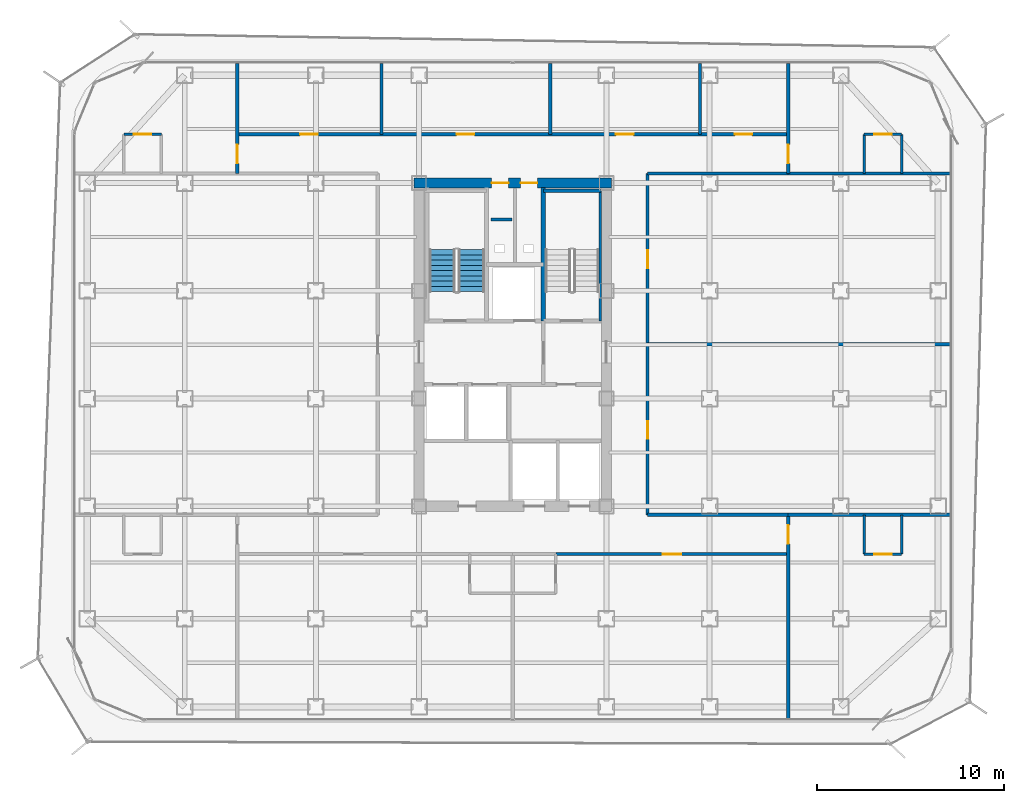
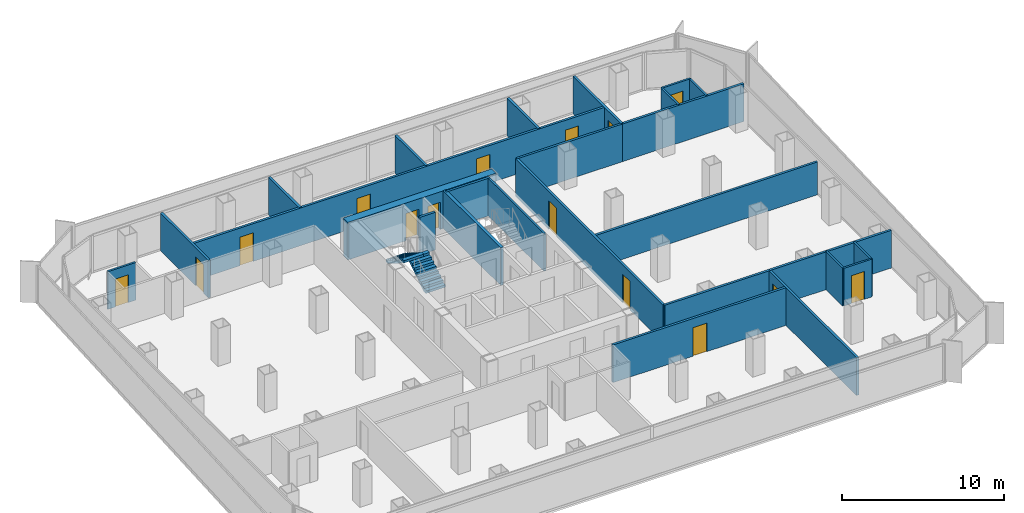
# One storey, part 17 of 21: 26 walls, 15 doors, 2 stair flights, 15 openings, 1 element without a shape of its own.
"""IFC4 building model written with IfcOpenShell, lengths in metres."""

from ifc_helpers import new_model, si_unit, direction, frame, frame_2d, origin, place, context, subcontext, project, spatial, polyline, rectangle, outline, extrude, material, layer, layer_set, type_object, element, fill, aggregate, save


model = new_model("IFC4")

# Units and contexts
model_context = context("Model", 3, precision=1e-05, world=origin(), true_north=direction((0.0, 1.0)))
body_context = subcontext(model_context, "Body", "Model", "MODEL_VIEW")
ifc_project = project(units=[si_unit("LENGTHUNIT", "METRE"), si_unit("AREAUNIT", "SQUARE_METRE"), si_unit("VOLUMEUNIT", "CUBIC_METRE"), si_unit("PLANEANGLEUNIT", "RADIAN"), si_unit("MASSUNIT", "GRAM", prefix="KILO")], contexts=[model_context])

# Site, building, storey
site_placement = place(None, origin())
site = spatial("IfcSite", under=ifc_project, at=site_placement, CompositionType="ELEMENT")
building_placement = place(site_placement, origin())
building = spatial("IfcBuilding", under=site, at=building_placement, Name="Kolveth Station Tower", CompositionType="ELEMENT")
storey_placement = place(building_placement, frame((0.0, 0.0, 140.699951171875)))
storey = spatial("IfcBuildingStorey", under=building, at=storey_placement, Name="L39", CompositionType="ELEMENT", Elevation=140.699951171875)

# Wall, openings, doors
ifc_material_1 = material(Name="Concrete C60/75", Category="concrete")
ifc_layer_1 = layer(ifc_material_1, 0.550048828125)
ifc_layer_set_1 = layer_set([ifc_layer_1], Name="Concrete C60/75")
wall_type_1 = type_object("IfcWallType", Name="Wall_CW-550", PredefinedType="SHEAR", material=ifc_layer_set_1)
wall_1_placement = place(storey_placement, frame((18.22509765625, 28.75, 0.0), z_axis=(0.0, 0.0, 1.0), x_axis=(1.0, 0.0, 0.0)))
wall_1 = element("IfcWall", 1, at=wall_1_placement, inside=storey, type_object=wall_type_1, Name="L39 Core RC Shear Wall N", PredefinedType="SHEAR", context=body_context, shape_type="SweptSolid", body=[
    extrude(rectangle(XDim=10.5498046875, YDim=0.550048828125, at=frame_2d((5.27490234375, 0.0))), origin(), (0.0, 0.0, 1.0), 2.840087890625),
])
opening_1_placement = place(wall_1_placement, frame((4.155029296875, 0.0, 0.0)))
opening_1 = element("IfcOpeningElement", 2, at=opening_1_placement, cuts=wall_1, Name="Opening RD1", PredefinedType="OPENING", context=body_context, shape_type="SweptSolid", body=[
    extrude(rectangle(XDim=0.89990234375, YDim=2.050048828125, at=frame_2d((0.449951171875, 1.02490234375))), frame((0.0, 0.284912109375, 0.0), z_axis=(0.0, -1.0, 0.0), x_axis=(1.0, 0.0, 0.0)), (0.0, 0.0, 1.0), 0.570068359375),
])
opening_2_placement = place(wall_1_placement, frame((5.695068359375, 0.0, 0.0)))
opening_2 = element("IfcOpeningElement", 3, at=opening_2_placement, cuts=wall_1, Name="Opening RD1", PredefinedType="OPENING", context=body_context, shape_type="SweptSolid", body=[
    extrude(rectangle(XDim=0.89990234375, YDim=2.050048828125, at=frame_2d((0.449951171875, 1.02490234375))), frame((0.0, 0.284912109375, 0.0), z_axis=(0.0, -1.0, 0.0), x_axis=(1.0, 0.0, 0.0)), (0.0, 0.0, 1.0), 0.570068359375),
])
ifc_material_2 = material(Name="Fire-rated Steel S355 riser access leaf", Category="steel")
door_type_1 = type_object("IfcDoorType", Name="Door_RD1", OperationType="NOTDEFINED", PredefinedType="DOOR", material=ifc_material_2)
door_1_placement = place(opening_1_placement, origin())
door_1 = element("IfcDoor", 4, at=door_1_placement, inside=storey, type_object=door_type_1, Name="L39 Electrical Riser Access Door", OperationType="SINGLE_SWING_LEFT", OverallHeight=2.050048828125, OverallWidth=0.89990234375, PredefinedType="DOOR", context=body_context, shape_type="SweptSolid", body=[
    extrude(rectangle(XDim=0.89990234375, YDim=2.050048828125, at=frame_2d((0.449951171875, 1.02490234375))), frame((0.0, 0.02490234375, 0.0), z_axis=(0.0, -1.0, 0.0), x_axis=(1.0, 0.0, 0.0)), (0.0, 0.0, 1.0), 0.050048828125),
])
fill(opening_1, door_1)
door_2_placement = place(opening_2_placement, origin())
door_2 = element("IfcDoor", 5, at=door_2_placement, inside=storey, type_object=door_type_1, Name="L39 Smoke Duct Access Door", OperationType="SINGLE_SWING_RIGHT", OverallHeight=2.050048828125, OverallWidth=0.89990234375, PredefinedType="DOOR", context=body_context, shape_type="SweptSolid", body=[
    extrude(rectangle(XDim=0.89990234375, YDim=2.050048828125, at=frame_2d((0.449951171875, 1.02490234375))), frame((0.0, 0.02490234375, 0.0), z_axis=(0.0, -1.0, 0.0), x_axis=(1.0, 0.0, 0.0)), (0.0, 0.0, 1.0), 0.050048828125),
])
fill(opening_2, door_2)

# Wall
ifc_material_3 = material(Name="Moisture-resistant gypsum partition")
ifc_layer_2 = layer(ifc_material_3, 0.135009765625)
ifc_layer_set_2 = layer_set([ifc_layer_2], Name="Moisture-resistant gypsum partition")
wall_type_2 = type_object("IfcWallType", Name="Wall_IW-135", PredefinedType="PARTITIONING", material=ifc_layer_set_2)
wall_2_placement = place(storey_placement, frame((28.16748046875, 21.389892578125, 0.0), z_axis=(0.0, 0.0, 1.0), x_axis=(0.0, 1.0, 0.0)))
element("IfcWall", 6, at=wall_2_placement, inside=storey, type_object=wall_type_2, Name="L39 Stair Shaft Wall WL-L39-ST2-E", PredefinedType="PARTITIONING", context=body_context, shape_type="SweptSolid", body=[
    extrude(rectangle(XDim=6.945068359375, YDim=0.135009765625, at=frame_2d((3.47265625, 0.0))), origin(), (0.0, 0.0, 1.0), 2.840087890625),
])

# Wall, opening, door
wall_3_placement = place(storey_placement, frame((2.75, 31.35009765625, 0.0), z_axis=(0.0, 0.0, 1.0), x_axis=(1.0, 0.0, 0.0)))
wall_3 = element("IfcWall", 7, at=wall_3_placement, inside=storey, type_object=wall_type_2, Name="L39 Partition Wall WL-L39-WS2-BH", PredefinedType="PARTITIONING", context=body_context, shape_type="SweptSolid", body=[
    extrude(rectangle(XDim=2.0, YDim=0.135009765625, at=frame_2d((1.0, 0.0))), origin(), (0.0, 0.0, 1.0), 2.840087890625),
])
opening_3_placement = place(wall_3_placement, frame((0.5400390625, 0.0, 0.0)))
opening_3 = element("IfcOpeningElement", 8, at=opening_3_placement, cuts=wall_3, Name="Opening ID2", PredefinedType="OPENING", context=body_context, shape_type="SweptSolid", body=[
    extrude(rectangle(XDim=0.919921875, YDim=2.10009765625, at=frame_2d((0.4599609375, 1.050048828125))), frame((0.0, 0.077392578125, 0.0), z_axis=(0.0, -1.0, 0.0), x_axis=(1.0, 0.0, 0.0)), (0.0, 0.0, 1.0), 0.155029296875),
])
ifc_material_4 = material(Name="Moisture-resistant hardwood leaf", Category="wood")
door_type_2 = type_object("IfcDoorType", Name="Door_ID2", OperationType="NOTDEFINED", PredefinedType="DOOR", material=ifc_material_4)
door_3_placement = place(opening_3_placement, frame((0.919921875, 0.0, 0.0), z_axis=(0.0, 0.0, 1.0), x_axis=(-1.0, 0.0, 0.0)))
door_3 = element("IfcDoor", 9, at=door_3_placement, inside=storey, type_object=door_type_2, Name="L39 Hotel Guest Room WS2 En-Suite Door", OperationType="SINGLE_SWING_RIGHT", OverallHeight=2.10009765625, OverallWidth=0.919921875, PredefinedType="DOOR", context=body_context, shape_type="SweptSolid", body=[
    extrude(rectangle(XDim=0.919921875, YDim=2.10009765625, at=frame_2d((0.4599609375, 1.050048828125))), frame((0.0, 0.02490234375, 0.0), z_axis=(0.0, -1.0, 0.0), x_axis=(1.0, 0.0, 0.0)), (0.0, 0.0, 1.0), 0.050048828125),
])
fill(opening_3, door_3)

# Walls
for number, where, z_axis, x_axis, name in (
    (10, (42.25, 8.949951171875, 0.0), (0.0, 0.0, 1.0), (0.0, 1.0, 0.0), "L39 Partition Wall WL-L39-ES1-BV1"),
    (11, (44.25, 8.949951171875, 0.0), (0.0, 0.0, 1.0), (0.0, 1.0, 0.0), "L39 Partition Wall WL-L39-ES1-BV2"),
):
    element("IfcWall", number, at=place(storey_placement, frame(where, z_axis=z_axis, x_axis=x_axis)), inside=storey, type_object=wall_type_2, Name=name, PredefinedType="PARTITIONING", context=body_context, shape_type="SweptSolid", body=[
        extrude(rectangle(XDim=2.10009765625, YDim=0.135009765625, at=frame_2d((1.050048828125, 0.0))), origin(), (0.0, 0.0, 1.0), 2.840087890625),
    ])

# Wall, opening, door
wall_4_placement = place(storey_placement, frame((42.25, 8.949951171875, 0.0), z_axis=(0.0, 0.0, 1.0), x_axis=(1.0, 0.0, 0.0)))
wall_4 = element("IfcWall", 12, at=wall_4_placement, inside=storey, type_object=wall_type_2, Name="L39 Partition Wall WL-L39-ES1-BH", PredefinedType="PARTITIONING", context=body_context, shape_type="SweptSolid", body=[
    extrude(rectangle(XDim=2.0, YDim=0.135009765625, at=frame_2d((1.0, 0.0))), origin(), (0.0, 0.0, 1.0), 2.840087890625),
])
opening_4_placement = place(wall_4_placement, frame((0.5400390625, 0.0, 0.0)))
opening_4 = element("IfcOpeningElement", 13, at=opening_4_placement, cuts=wall_4, Name="Opening ID2", PredefinedType="OPENING", context=body_context, shape_type="SweptSolid", body=[
    extrude(rectangle(XDim=0.919921875, YDim=2.10009765625, at=frame_2d((0.4599609375, 1.050048828125))), frame((0.0, 0.077392578125, 0.0), z_axis=(0.0, -1.0, 0.0), x_axis=(1.0, 0.0, 0.0)), (0.0, 0.0, 1.0), 0.155029296875),
])
door_4_placement = place(opening_4_placement, origin())
door_4 = element("IfcDoor", 14, at=door_4_placement, inside=storey, type_object=door_type_2, Name="L39 Hotel Corner Suite ES1 En-Suite Door", OperationType="SINGLE_SWING_LEFT", OverallHeight=2.10009765625, OverallWidth=0.919921875, PredefinedType="DOOR", context=body_context, shape_type="SweptSolid", body=[
    extrude(rectangle(XDim=0.919921875, YDim=2.10009765625, at=frame_2d((0.4599609375, 1.050048828125))), frame((0.0, 0.02490234375, 0.0), z_axis=(0.0, -1.0, 0.0), x_axis=(1.0, 0.0, 0.0)), (0.0, 0.0, 1.0), 0.050048828125),
])
fill(opening_4, door_4)

# Walls
for number, where, z_axis, x_axis, name in (
    (15, (42.25, 29.25, 0.0), (0.0, 0.0, 1.0), (0.0, 1.0, 0.0), "L39 Partition Wall WL-L39-ES2-BV1"),
    (16, (44.25, 29.25, 0.0), (0.0, 0.0, 1.0), (0.0, 1.0, 0.0), "L39 Partition Wall WL-L39-ES2-BV2"),
):
    element("IfcWall", number, at=place(storey_placement, frame(where, z_axis=z_axis, x_axis=x_axis)), inside=storey, type_object=wall_type_2, Name=name, PredefinedType="PARTITIONING", context=body_context, shape_type="SweptSolid", body=[
        extrude(rectangle(XDim=2.10009765625, YDim=0.135009765625, at=frame_2d((1.050048828125, 0.0))), origin(), (0.0, 0.0, 1.0), 2.840087890625),
    ])

# Wall, opening, door
wall_5_placement = place(storey_placement, frame((42.25, 31.35009765625, 0.0), z_axis=(0.0, 0.0, 1.0), x_axis=(1.0, 0.0, 0.0)))
wall_5 = element("IfcWall", 17, at=wall_5_placement, inside=storey, type_object=wall_type_2, Name="L39 Partition Wall WL-L39-ES2-BH", PredefinedType="PARTITIONING", context=body_context, shape_type="SweptSolid", body=[
    extrude(rectangle(XDim=2.0, YDim=0.135009765625, at=frame_2d((1.0, 0.0))), origin(), (0.0, 0.0, 1.0), 2.840087890625),
])
opening_5_placement = place(wall_5_placement, frame((0.5400390625, 0.0, 0.0)))
opening_5 = element("IfcOpeningElement", 18, at=opening_5_placement, cuts=wall_5, Name="Opening ID2", PredefinedType="OPENING", context=body_context, shape_type="SweptSolid", body=[
    extrude(rectangle(XDim=0.919921875, YDim=2.10009765625, at=frame_2d((0.4599609375, 1.050048828125))), frame((0.0, 0.077392578125, 0.0), z_axis=(0.0, -1.0, 0.0), x_axis=(1.0, 0.0, 0.0)), (0.0, 0.0, 1.0), 0.155029296875),
])
door_5_placement = place(opening_5_placement, frame((0.919921875, 0.0, 0.0), z_axis=(0.0, 0.0, 1.0), x_axis=(-1.0, 0.0, 0.0)))
door_5 = element("IfcDoor", 19, at=door_5_placement, inside=storey, type_object=door_type_2, Name="L39 Hotel Corner Suite ES2 En-Suite Door", OperationType="SINGLE_SWING_RIGHT", OverallHeight=2.10009765625, OverallWidth=0.919921875, PredefinedType="DOOR", context=body_context, shape_type="SweptSolid", body=[
    extrude(rectangle(XDim=0.919921875, YDim=2.10009765625, at=frame_2d((0.4599609375, 1.050048828125))), frame((0.0, 0.02490234375, 0.0), z_axis=(0.0, -1.0, 0.0), x_axis=(1.0, 0.0, 0.0)), (0.0, 0.0, 1.0), 0.050048828125),
])
fill(opening_5, door_5)

# Wall
ifc_material_5 = material(Name="Acoustic double-stud gypsum partition")
ifc_layer_3 = layer(ifc_material_5, 0.1650390625)
ifc_layer_set_3 = layer_set([ifc_layer_3], Name="Acoustic double-stud gypsum partition")
wall_type_3 = type_object("IfcWallType", Name="Wall_IW-165", PredefinedType="PARTITIONING", material=ifc_layer_set_3)
wall_6_placement = place(storey_placement, frame((25.1298828125, 28.3349609375, 0.0), z_axis=(0.0, 0.0, 1.0), x_axis=(1.0, 0.0, 0.0)))
element("IfcWall", 20, at=wall_6_placement, inside=storey, type_object=wall_type_3, Name="L39 Stair Shaft Wall WL-L39-ST2-N", PredefinedType="PARTITIONING", context=body_context, shape_type="SweptSolid", body=[
    extrude(rectangle(XDim=3.085205078125, YDim=0.1650390625, at=frame_2d((1.54248046875, 0.0))), origin(), (0.0, 0.0, 1.0), 2.840087890625),
])

# Wall, openings, doors
wall_7_placement = place(storey_placement, frame((8.800048828125, 31.35009765625, 0.0), z_axis=(0.0, 0.0, 1.0), x_axis=(1.0, 0.0, 0.0)))
wall_7 = element("IfcWall", 21, at=wall_7_placement, inside=storey, type_object=wall_type_3, Name="L39 Partition Wall WL-L39-HN", PredefinedType="PARTITIONING", context=body_context, shape_type="SweptSolid", body=[
    extrude(rectangle(XDim=29.39990234375, YDim=0.1650390625, at=frame_2d((14.699951171875, 0.0))), origin(), (0.0, 0.0, 1.0), 2.840087890625),
])
opening_6_placement = place(wall_7_placement, frame((3.35009765625, 0.0, 0.0)))
opening_6 = element("IfcOpeningElement", 22, at=opening_6_placement, cuts=wall_7, Name="Opening ID1", PredefinedType="OPENING", context=body_context, shape_type="SweptSolid", body=[
    extrude(rectangle(XDim=0.949951171875, YDim=2.14990234375, at=frame_2d((0.47509765625, 1.074951171875))), frame((0.0, 0.092529296875, 0.0), z_axis=(0.0, -1.0, 0.0), x_axis=(1.0, 0.0, 0.0)), (0.0, 0.0, 1.0), 0.18505859375),
])
opening_7_placement = place(wall_7_placement, frame((11.699951171875, 0.0, 0.0)))
opening_7 = element("IfcOpeningElement", 23, at=opening_7_placement, cuts=wall_7, Name="Opening ID1", PredefinedType="OPENING", context=body_context, shape_type="SweptSolid", body=[
    extrude(rectangle(XDim=0.949951171875, YDim=2.14990234375, at=frame_2d((0.47509765625, 1.074951171875))), frame((0.0, 0.092529296875, 0.0), z_axis=(0.0, -1.0, 0.0), x_axis=(1.0, 0.0, 0.0)), (0.0, 0.0, 1.0), 0.18505859375),
])
opening_8_placement = place(wall_7_placement, frame((20.199951171875, 0.0, 0.0)))
opening_8 = element("IfcOpeningElement", 24, at=opening_8_placement, cuts=wall_7, Name="Opening ID1", PredefinedType="OPENING", context=body_context, shape_type="SweptSolid", body=[
    extrude(rectangle(XDim=0.949951171875, YDim=2.14990234375, at=frame_2d((0.47509765625, 1.074951171875))), frame((0.0, 0.092529296875, 0.0), z_axis=(0.0, -1.0, 0.0), x_axis=(1.0, 0.0, 0.0)), (0.0, 0.0, 1.0), 0.18505859375),
])
opening_9_placement = place(wall_7_placement, frame((26.550048828125, 0.0, 0.0)))
opening_9 = element("IfcOpeningElement", 25, at=opening_9_placement, cuts=wall_7, Name="Opening ID2", PredefinedType="OPENING", context=body_context, shape_type="SweptSolid", body=[
    extrude(rectangle(XDim=0.919921875, YDim=2.10009765625, at=frame_2d((0.4599609375, 1.050048828125))), frame((0.0, 0.092529296875, 0.0), z_axis=(0.0, -1.0, 0.0), x_axis=(1.0, 0.0, 0.0)), (0.0, 0.0, 1.0), 0.18505859375),
])
ifc_material_6 = material(Name="Acoustic hardwood leaf and aluminium frame", Category="wood")
door_type_3 = type_object("IfcDoorType", Name="Door_ID1", OperationType="NOTDEFINED", PredefinedType="DOOR", material=ifc_material_6)
door_6_placement = place(opening_6_placement, origin())
door_6 = element("IfcDoor", 26, at=door_6_placement, inside=storey, type_object=door_type_3, Name="L39 Spa Wellness Suite A Door", OperationType="SINGLE_SWING_RIGHT", OverallHeight=2.14990234375, OverallWidth=0.949951171875, PredefinedType="DOOR", context=body_context, shape_type="SweptSolid", body=[
    extrude(rectangle(XDim=0.949951171875, YDim=2.14990234375, at=frame_2d((0.47509765625, 1.074951171875))), frame((0.0, 0.02490234375, 0.0), z_axis=(0.0, -1.0, 0.0), x_axis=(1.0, 0.0, 0.0)), (0.0, 0.0, 1.0), 0.050048828125),
])
fill(opening_6, door_6)
door_7_placement = place(opening_7_placement, origin())
door_7 = element("IfcDoor", 27, at=door_7_placement, inside=storey, type_object=door_type_3, Name="L39 Spa Wellness Suite B Door", OperationType="SINGLE_SWING_LEFT", OverallHeight=2.14990234375, OverallWidth=0.949951171875, PredefinedType="DOOR", context=body_context, shape_type="SweptSolid", body=[
    extrude(rectangle(XDim=0.949951171875, YDim=2.14990234375, at=frame_2d((0.47509765625, 1.074951171875))), frame((0.0, 0.02490234375, 0.0), z_axis=(0.0, -1.0, 0.0), x_axis=(1.0, 0.0, 0.0)), (0.0, 0.0, 1.0), 0.050048828125),
])
fill(opening_7, door_7)
door_8_placement = place(opening_8_placement, origin())
door_8 = element("IfcDoor", 28, at=door_8_placement, inside=storey, type_object=door_type_3, Name="L39 Spa Hydrotherapy Room Door", OperationType="SINGLE_SWING_LEFT", OverallHeight=2.14990234375, OverallWidth=0.949951171875, PredefinedType="DOOR", context=body_context, shape_type="SweptSolid", body=[
    extrude(rectangle(XDim=0.949951171875, YDim=2.14990234375, at=frame_2d((0.47509765625, 1.074951171875))), frame((0.0, 0.02490234375, 0.0), z_axis=(0.0, -1.0, 0.0), x_axis=(1.0, 0.0, 0.0)), (0.0, 0.0, 1.0), 0.050048828125),
])
fill(opening_8, door_8)
door_9_placement = place(opening_9_placement, origin())
door_9 = element("IfcDoor", 29, at=door_9_placement, inside=storey, type_object=door_type_2, Name="L39 Accessible Guest WC Door", OperationType="SINGLE_SWING_LEFT", OverallHeight=2.10009765625, OverallWidth=0.919921875, PredefinedType="DOOR", context=body_context, shape_type="SweptSolid", body=[
    extrude(rectangle(XDim=0.919921875, YDim=2.10009765625, at=frame_2d((0.4599609375, 1.050048828125))), frame((0.0, 0.02490234375, 0.0), z_axis=(0.0, -1.0, 0.0), x_axis=(1.0, 0.0, 0.0)), (0.0, 0.0, 1.0), 0.050048828125),
])
fill(opening_9, door_9)

# Walls
for number, where, z_axis, x_axis, name in (
    (30, (30.699951171875, 11.050048828125, 0.0), (0.0, 0.0, 1.0), (1.0, 0.0, 0.0), "L39 Partition Wall WL-L39-HSET"),
    (31, (30.699951171875, 29.25, 0.0), (0.0, 0.0, 1.0), (1.0, 0.0, 0.0), "L39 Partition Wall WL-L39-HNEB"),
):
    element("IfcWall", number, at=place(storey_placement, frame(where, z_axis=z_axis, x_axis=x_axis)), inside=storey, type_object=wall_type_3, Name=name, PredefinedType="PARTITIONING", context=body_context, shape_type="SweptSolid", body=[
        extrude(rectangle(XDim=7.5, YDim=0.1650390625, at=frame_2d((3.75, 0.0))), origin(), (0.0, 0.0, 1.0), 2.840087890625),
    ])

# Wall, openings, doors
wall_8_placement = place(storey_placement, frame((30.699951171875, 11.050048828125, 0.0), z_axis=(0.0, 0.0, 1.0), x_axis=(0.0, 1.0, 0.0)))
wall_8 = element("IfcWall", 32, at=wall_8_placement, inside=storey, type_object=wall_type_3, Name="L39 Partition Wall WL-L39-HE", PredefinedType="PARTITIONING", context=body_context, shape_type="SweptSolid", body=[
    extrude(rectangle(XDim=18.199951171875, YDim=0.1650390625, at=frame_2d((9.10009765625, 0.0))), origin(), (0.0, 0.0, 1.0), 2.840087890625),
])
opening_10_placement = place(wall_8_placement, frame((4.050048828125, 0.0, 0.0)))
opening_10 = element("IfcOpeningElement", 33, at=opening_10_placement, cuts=wall_8, Name="Opening ID1", PredefinedType="OPENING", context=body_context, shape_type="SweptSolid", body=[
    extrude(rectangle(XDim=0.949951171875, YDim=2.14990234375, at=frame_2d((0.47509765625, 1.074951171875))), frame((0.0, 0.092529296875, 0.0), z_axis=(0.0, -1.0, 0.0), x_axis=(1.0, 0.0, 0.0)), (0.0, 0.0, 1.0), 0.18505859375),
])
opening_11_placement = place(wall_8_placement, frame((13.14990234375, 0.0, 0.0)))
opening_11 = element("IfcOpeningElement", 34, at=opening_11_placement, cuts=wall_8, Name="Opening ID1", PredefinedType="OPENING", context=body_context, shape_type="SweptSolid", body=[
    extrude(rectangle(XDim=0.949951171875, YDim=2.14990234375, at=frame_2d((0.47509765625, 1.074951171875))), frame((0.0, 0.092529296875, 0.0), z_axis=(0.0, -1.0, 0.0), x_axis=(1.0, 0.0, 0.0)), (0.0, 0.0, 1.0), 0.18505859375),
])
door_10_placement = place(opening_10_placement, origin())
door_10 = element("IfcDoor", 35, at=door_10_placement, inside=storey, type_object=door_type_3, Name="L39 Guest Study East Door", OperationType="SINGLE_SWING_LEFT", OverallHeight=2.14990234375, OverallWidth=0.949951171875, PredefinedType="DOOR", context=body_context, shape_type="SweptSolid", body=[
    extrude(rectangle(XDim=0.949951171875, YDim=2.14990234375, at=frame_2d((0.47509765625, 1.074951171875))), frame((0.0, 0.02490234375, 0.0), z_axis=(0.0, -1.0, 0.0), x_axis=(1.0, 0.0, 0.0)), (0.0, 0.0, 1.0), 0.050048828125),
])
fill(opening_10, door_10)
door_11_placement = place(opening_11_placement, origin())
door_11 = element("IfcDoor", 36, at=door_11_placement, inside=storey, type_object=door_type_3, Name="L39 Hotel Guest Lounge Door", OperationType="SINGLE_SWING_RIGHT", OverallHeight=2.14990234375, OverallWidth=0.949951171875, PredefinedType="DOOR", context=body_context, shape_type="SweptSolid", body=[
    extrude(rectangle(XDim=0.949951171875, YDim=2.14990234375, at=frame_2d((0.47509765625, 1.074951171875))), frame((0.0, 0.02490234375, 0.0), z_axis=(0.0, -1.0, 0.0), x_axis=(1.0, 0.0, 0.0)), (0.0, 0.0, 1.0), 0.050048828125),
])
fill(opening_11, door_11)

# Wall, opening, door
wall_9_placement = place(storey_placement, frame((8.800048828125, 29.25, 0.0), z_axis=(0.0, 0.0, 1.0), x_axis=(0.0, 1.0, 0.0)))
wall_9 = element("IfcWall", 37, at=wall_9_placement, inside=storey, type_object=wall_type_3, Name="L39 Partition Wall WL-L39-END-WN", PredefinedType="PARTITIONING", context=body_context, shape_type="SweptSolid", body=[
    extrude(rectangle(XDim=5.889892578125, YDim=0.1650390625, at=frame_2d((2.94482421875, 0.0))), origin(), (0.0, 0.0, 1.0), 2.840087890625),
])
opening_12_placement = place(wall_9_placement, frame((0.550048828125, 0.0, 0.0)))
opening_12 = element("IfcOpeningElement", 38, at=opening_12_placement, cuts=wall_9, Name="Opening FD3", PredefinedType="OPENING", context=body_context, shape_type="SweptSolid", body=[
    extrude(rectangle(XDim=1.0, YDim=2.14990234375, at=frame_2d((0.5, 1.074951171875))), frame((0.0, 0.092529296875, 0.0), z_axis=(0.0, -1.0, 0.0), x_axis=(1.0, 0.0, 0.0)), (0.0, 0.0, 1.0), 0.18505859375),
])
ifc_material_7 = material(Name="Fire-rated hardwood leaf and aluminium frame", Category="wood")
door_type_4 = type_object("IfcDoorType", Name="Door_FD3", OperationType="NOTDEFINED", PredefinedType="DOOR", material=ifc_material_7)
door_12_placement = place(opening_12_placement, origin())
door_12 = element("IfcDoor", 39, at=door_12_placement, inside=storey, type_object=door_type_4, Name="L39 Hotel Guest Room WS2 Entrance Door", OperationType="SINGLE_SWING_LEFT", OverallHeight=2.14990234375, OverallWidth=1.0, PredefinedType="DOOR", context=body_context, shape_type="SweptSolid", body=[
    extrude(rectangle(XDim=1.0, YDim=2.14990234375, at=frame_2d((0.5, 1.074951171875))), frame((0.0, 0.02490234375, 0.0), z_axis=(0.0, -1.0, 0.0), x_axis=(1.0, 0.0, 0.0)), (0.0, 0.0, 1.0), 0.050048828125),
])
fill(opening_12, door_12)

wall_10_placement = place(storey_placement, frame((38.199951171875, 0.159912109375, 0.0), z_axis=(0.0, 0.0, 1.0), x_axis=(0.0, 1.0, 0.0)))
wall_10 = element("IfcWall", 40, at=wall_10_placement, inside=storey, type_object=wall_type_3, Name="L39 Partition Wall WL-L39-END-ES", PredefinedType="PARTITIONING", context=body_context, shape_type="SweptSolid", body=[
    extrude(rectangle(XDim=10.89013671875, YDim=0.1650390625, at=frame_2d((5.445068359375, 0.0))), origin(), (0.0, 0.0, 1.0), 2.840087890625),
])
opening_13_placement = place(wall_10_placement, frame((9.340087890625, 0.0, 0.0)))
opening_13 = element("IfcOpeningElement", 41, at=opening_13_placement, cuts=wall_10, Name="Opening FD3", PredefinedType="OPENING", context=body_context, shape_type="SweptSolid", body=[
    extrude(rectangle(XDim=1.0, YDim=2.14990234375, at=frame_2d((0.5, 1.074951171875))), frame((0.0, 0.092529296875, 0.0), z_axis=(0.0, -1.0, 0.0), x_axis=(1.0, 0.0, 0.0)), (0.0, 0.0, 1.0), 0.18505859375),
])
door_13_placement = place(opening_13_placement, frame((1.0, 0.0, 0.0), z_axis=(0.0, 0.0, 1.0), x_axis=(-1.0, 0.0, 0.0)))
door_13 = element("IfcDoor", 42, at=door_13_placement, inside=storey, type_object=door_type_4, Name="L39 Hotel Corner Suite ES1 Entrance Door", OperationType="SINGLE_SWING_LEFT", OverallHeight=2.14990234375, OverallWidth=1.0, PredefinedType="DOOR", context=body_context, shape_type="SweptSolid", body=[
    extrude(rectangle(XDim=1.0, YDim=2.14990234375, at=frame_2d((0.5, 1.074951171875))), frame((0.0, 0.02490234375, 0.0), z_axis=(0.0, -1.0, 0.0), x_axis=(1.0, 0.0, 0.0)), (0.0, 0.0, 1.0), 0.050048828125),
])
fill(opening_13, door_13)

wall_11_placement = place(storey_placement, frame((38.199951171875, 29.25, 0.0), z_axis=(0.0, 0.0, 1.0), x_axis=(0.0, 1.0, 0.0)))
wall_11 = element("IfcWall", 43, at=wall_11_placement, inside=storey, type_object=wall_type_3, Name="L39 Partition Wall WL-L39-END-EN", PredefinedType="PARTITIONING", context=body_context, shape_type="SweptSolid", body=[
    extrude(rectangle(XDim=5.889892578125, YDim=0.1650390625, at=frame_2d((2.94482421875, 0.0))), origin(), (0.0, 0.0, 1.0), 2.840087890625),
])
opening_14_placement = place(wall_11_placement, frame((0.550048828125, 0.0, 0.0)))
opening_14 = element("IfcOpeningElement", 44, at=opening_14_placement, cuts=wall_11, Name="Opening FD3", PredefinedType="OPENING", context=body_context, shape_type="SweptSolid", body=[
    extrude(rectangle(XDim=1.0, YDim=2.14990234375, at=frame_2d((0.5, 1.074951171875))), frame((0.0, 0.092529296875, 0.0), z_axis=(0.0, -1.0, 0.0), x_axis=(1.0, 0.0, 0.0)), (0.0, 0.0, 1.0), 0.18505859375),
])
door_14_placement = place(opening_14_placement, frame((1.0, 0.0, 0.0), z_axis=(0.0, 0.0, 1.0), x_axis=(-1.0, 0.0, 0.0)))
door_14 = element("IfcDoor", 45, at=door_14_placement, inside=storey, type_object=door_type_4, Name="L39 Hotel Corner Suite ES2 Entrance Door", OperationType="SINGLE_SWING_LEFT", OverallHeight=2.14990234375, OverallWidth=1.0, PredefinedType="DOOR", context=body_context, shape_type="SweptSolid", body=[
    extrude(rectangle(XDim=1.0, YDim=2.14990234375, at=frame_2d((0.5, 1.074951171875))), frame((0.0, 0.02490234375, 0.0), z_axis=(0.0, -1.0, 0.0), x_axis=(1.0, 0.0, 0.0)), (0.0, 0.0, 1.0), 0.050048828125),
])
fill(opening_14, door_14)

# Walls
for number, where, z_axis, x_axis, name in (
    (46, (38.199951171875, 11.050048828125, 0.0), (0.0, 0.0, 1.0), (1.0, 0.0, 0.0), "L39 Partition Wall WL-L39-EM1"),
    (47, (38.199951171875, 29.25, 0.0), (0.0, 0.0, 1.0), (1.0, 0.0, 0.0), "L39 Partition Wall WL-L39-EM2"),
):
    element("IfcWall", number, at=place(storey_placement, frame(where, z_axis=z_axis, x_axis=x_axis)), inside=storey, type_object=wall_type_3, Name=name, PredefinedType="PARTITIONING", context=body_context, shape_type="SweptSolid", body=[
        extrude(rectangle(XDim=8.64013671875, YDim=0.1650390625, at=frame_2d((4.320068359375, 0.0))), origin(), (0.0, 0.0, 1.0), 2.840087890625),
    ])

# Wall, opening, door
wall_12_placement = place(storey_placement, frame((25.800048828125, 8.949951171875, 0.0), z_axis=(0.0, 0.0, 1.0), x_axis=(1.0, 0.0, 0.0)))
wall_12 = element("IfcWall", 48, at=wall_12_placement, inside=storey, type_object=wall_type_3, Name="L39 Partition Wall WL-L39-HS2-RCOR", PredefinedType="PARTITIONING", context=body_context, shape_type="SweptSolid", body=[
    extrude(rectangle(XDim=12.39990234375, YDim=0.1650390625, at=frame_2d((6.199951171875, 0.0))), origin(), (0.0, 0.0, 1.0), 2.840087890625),
])
opening_15_placement = place(wall_12_placement, frame((5.699951171875, 0.0, 0.0)))
opening_15 = element("IfcOpeningElement", 49, at=opening_15_placement, cuts=wall_12, Name="Opening FD3", PredefinedType="OPENING", context=body_context, shape_type="SweptSolid", body=[
    extrude(rectangle(XDim=1.0, YDim=2.14990234375, at=frame_2d((0.5, 1.074951171875))), frame((0.0, 0.092529296875, 0.0), z_axis=(0.0, -1.0, 0.0), x_axis=(1.0, 0.0, 0.0)), (0.0, 0.0, 1.0), 0.18505859375),
])
door_15_placement = place(opening_15_placement, frame((1.0, 0.0, 0.0), z_axis=(0.0, 0.0, 1.0), x_axis=(-1.0, 0.0, 0.0)))
door_15 = element("IfcDoor", 50, at=door_15_placement, inside=storey, type_object=door_type_4, Name="L39 Hotel Corner Suite HS2 Entrance Door", OperationType="SINGLE_SWING_LEFT", OverallHeight=2.14990234375, OverallWidth=1.0, PredefinedType="DOOR", context=body_context, shape_type="SweptSolid", body=[
    extrude(rectangle(XDim=1.0, YDim=2.14990234375, at=frame_2d((0.5, 1.074951171875))), frame((0.0, 0.02490234375, 0.0), z_axis=(0.0, -1.0, 0.0), x_axis=(1.0, 0.0, 0.0)), (0.0, 0.0, 1.0), 0.050048828125),
])
fill(opening_15, door_15)

# Walls
for number, where, z_axis, x_axis, name in (
    (51, (16.5, 31.35009765625, 0.0), (0.0, 0.0, 1.0), (0.0, 1.0, 0.0), "L39 Partition Wall WL-L39-HN-P1"),
    (52, (25.5, 31.35009765625, 0.0), (0.0, 0.0, 1.0), (0.0, 1.0, 0.0), "L39 Partition Wall WL-L39-HN-P2"),
    (53, (33.5, 31.35009765625, 0.0), (0.0, 0.0, 1.0), (0.0, 1.0, 0.0), "L39 Partition Wall WL-L39-HN-P3"),
):
    element("IfcWall", number, at=place(storey_placement, frame(where, z_axis=z_axis, x_axis=x_axis)), inside=storey, type_object=wall_type_3, Name=name, PredefinedType="PARTITIONING", context=body_context, shape_type="SweptSolid", body=[
        extrude(rectangle(XDim=3.789794921875, YDim=0.1650390625, at=frame_2d((1.89501953125, 0.0))), origin(), (0.0, 0.0, 1.0), 2.840087890625),
    ])
wall_13_placement = place(storey_placement, frame((30.699951171875, 20.14990234375, 0.0), z_axis=(0.0, 0.0, 1.0), x_axis=(1.0, 0.0, 0.0)))
element("IfcWall", 54, at=wall_13_placement, inside=storey, type_object=wall_type_3, Name="L39 Partition Wall WL-L39-HME-P1", PredefinedType="PARTITIONING", context=body_context, shape_type="SweptSolid", body=[
    extrude(rectangle(XDim=16.14013671875, YDim=0.1650390625, at=frame_2d((8.070068359375, 0.0))), origin(), (0.0, 0.0, 1.0), 2.47314453125),
])
wall_14_placement = place(storey_placement, frame((22.35009765625, 26.800048828125, 0.0), z_axis=(0.0, 0.0, 1.0), x_axis=(1.0, 0.0, 0.0)))
element("IfcWall", 55, at=wall_14_placement, inside=storey, type_object=wall_type_3, Name="L39 Acoustic Riser Dry-Lining Wall", PredefinedType="PARTITIONING", context=body_context, shape_type="SweptSolid", body=[
    extrude(rectangle(XDim=1.099853515625, YDim=0.1650390625, at=frame_2d((0.5498046875, 0.0))), origin(), (0.0, 0.0, 1.0), 2.840087890625),
])
ifc_material_8 = material(Name="Concrete C40/50", Category="concrete")
ifc_layer_4 = layer(ifc_material_8, 0.219970703125)
ifc_layer_set_4 = layer_set([ifc_layer_4], Name="Concrete C40/50")
wall_type_4 = type_object("IfcWallType", Name="Wall_IW-220", PredefinedType="SOLIDWALL", material=ifc_layer_set_4)
wall_15_placement = place(storey_placement, frame((25.1298828125, 21.389892578125, 0.0), z_axis=(0.0, 0.0, 1.0), x_axis=(0.0, 1.0, 0.0)))
element("IfcWall", 56, at=wall_15_placement, inside=storey, type_object=wall_type_4, Name="L39 Stair Shaft Wall WL-L39-ST2-W", PredefinedType="SOLIDWALL", context=body_context, shape_type="SweptSolid", body=[
    extrude(rectangle(XDim=7.110107421875, YDim=0.219970703125, at=frame_2d((3.55517578125, 0.0))), origin(), (0.0, 0.0, 1.0), 2.840087890625),
])

# Stair, stair flights
stair_type = type_object("IfcStairType", Name="Stair_ST1", PredefinedType="HALF_TURN_STAIR", material=ifc_material_8)
stair_placement = place(storey_placement, origin())
stair = element("IfcStair", 57, at=stair_placement, inside=storey, type_object=stair_type, Name="L39 Tower Exit Stair ST1", PredefinedType="HALF_TURN_STAIR")
ifc_layer_5 = layer(ifc_material_8, 0.179931640625)
ifc_layer_set_5 = layer_set([ifc_layer_5], Name="Concrete C40/50")
stair_flight_type = type_object("IfcStairFlightType", Name="Flight_ST1", PredefinedType="STRAIGHT", material=ifc_layer_set_5)
stair_flight_1_placement = place(storey_placement, frame((21.300048828125, 22.949951171875, 0.0), z_axis=(0.0, 0.0, 1.0), x_axis=(0.0, 1.0, 0.0)))
stair_flight_1 = element("IfcStairFlight", 58, at=stair_flight_1_placement, type_object=stair_flight_type, Name="ST1 flight 1", NumberOfRisers=9, NumberOfTreads=8, PredefinedType="STRAIGHT", RiserHeight=0.177777778, TreadLength=0.28, context=body_context, shape_type="SweptSolid", body=[
    extrude(outline(polyline([(0.0, 0.0), (0.0, 0.177734375), (0.280029296875, 0.177734375), (0.280029296875, 0.35546875), (0.56005859375, 0.35546875), (0.56005859375, 0.533447265625), (0.840087890625, 0.533447265625), (0.840087890625, 0.711181640625), (1.1201171875, 0.711181640625), (1.1201171875, 0.888916015625), (1.39990234375, 0.888916015625), (1.39990234375, 1.066650390625), (1.679931640625, 1.066650390625), (1.679931640625, 1.244384765625), (1.9599609375, 1.244384765625), (1.9599609375, 1.422119140625), (2.239990234375, 1.422119140625), (2.239990234375, 1.60009765625), (2.239990234375, 1.24462890625), (0.27978515625, 0.0), (0.0, 0.0)])), frame((0.0, 0.699951171875, 0.0), z_axis=(0.0, -1.0, 0.0), x_axis=(1.0, 0.0, 0.0)), (0.0, 0.0, 1.0), 1.39990234375),
])
stair_flight_2_placement = place(storey_placement, frame((19.739990234375, 25.18994140625, 1.60009765625), z_axis=(0.0, 0.0, 1.0), x_axis=(0.0, -1.0, 0.0)))
stair_flight_2 = element("IfcStairFlight", 59, at=stair_flight_2_placement, type_object=stair_flight_type, Name="ST1 flight 2", NumberOfRisers=9, NumberOfTreads=8, PredefinedType="STRAIGHT", RiserHeight=0.177777778, TreadLength=0.28, context=body_context, shape_type="SweptSolid", body=[
    extrude(outline(polyline([(0.0, 0.0), (0.0, 0.177734375), (0.280029296875, 0.177734375), (0.280029296875, 0.35546875), (0.56005859375, 0.35546875), (0.56005859375, 0.533447265625), (0.840087890625, 0.533447265625), (0.840087890625, 0.711181640625), (1.1201171875, 0.711181640625), (1.1201171875, 0.888916015625), (1.39990234375, 0.888916015625), (1.39990234375, 1.066650390625), (1.679931640625, 1.066650390625), (1.679931640625, 1.244384765625), (1.9599609375, 1.244384765625), (1.9599609375, 1.422119140625), (2.239990234375, 1.422119140625), (2.239990234375, 1.60009765625), (2.239990234375, 1.24462890625), (0.27978515625, 0.0), (0.0, 0.0)])), frame((0.0, 0.699951171875, 0.0), z_axis=(0.0, -1.0, 0.0), x_axis=(1.0, 0.0, 0.0)), (0.0, 0.0, 1.0), 1.39990234375),
])
aggregate(stair, [stair_flight_1, stair_flight_2])

save(model, "model.ifc")
